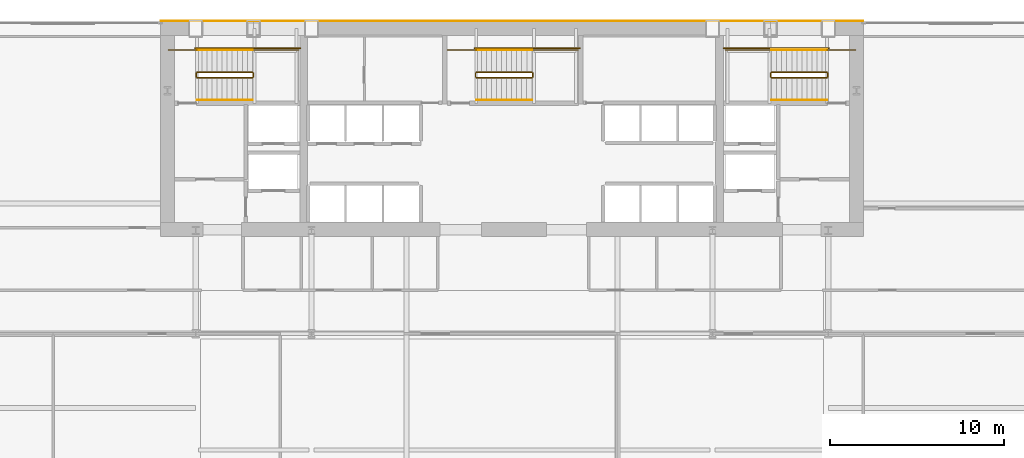
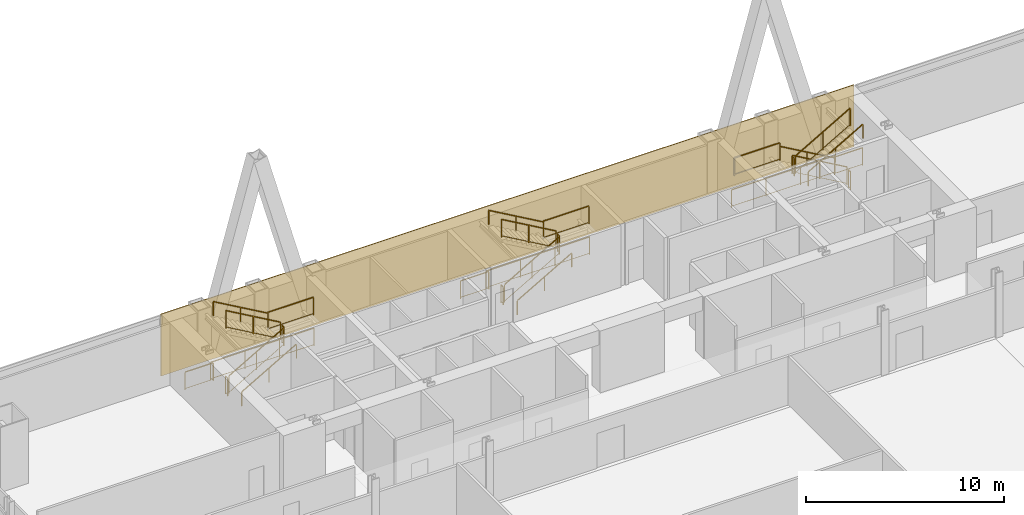
# One storey, part 34 of 35: 27 railings, 1 covering.
"""IFC4 building model written with IfcOpenShell, lengths in metres."""

from ifc_helpers import new_model, si_unit, direction, frame, origin, origin_2d, place, context, subcontext, project, spatial, polyline, rectangle, outline, extrude, material, layer, layer_set, type_object, element, save


model = new_model("IFC4")

# Units and contexts
model_context = context("Model", 3, precision=1e-05, world=origin(), true_north=direction((0.0, 1.0)))
body_context = subcontext(model_context, "Body", "Model", "MODEL_VIEW")
ifc_project = project(units=[si_unit("LENGTHUNIT", "METRE"), si_unit("AREAUNIT", "SQUARE_METRE"), si_unit("VOLUMEUNIT", "CUBIC_METRE"), si_unit("PLANEANGLEUNIT", "RADIAN"), si_unit("MASSUNIT", "GRAM", prefix="KILO")], contexts=[model_context])

# Site, building, storey
site_placement = place(None, origin())
site = spatial("IfcSite", under=ifc_project, at=site_placement, CompositionType="ELEMENT")
building_placement = place(site_placement, origin())
building = spatial("IfcBuilding", under=site, at=building_placement, Name="Khoronbel Lancet Exchange", CompositionType="ELEMENT")
storey_placement = place(building_placement, frame((0.0, 0.0, 25.800048828125)))
storey = spatial("IfcBuildingStorey", under=building, at=storey_placement, Name="L05", CompositionType="ELEMENT", Elevation=25.800048828125)

# Covering
ifc_material_1 = material(Name="Honed Egyptian Limestone & Bronze Rainscreen", Category="masonry")
ifc_layer = layer(ifc_material_1, 0.050048828125, Name="Honed Egyptian Limestone & Bronze Rainscreen")
ifc_layer_set = layer_set([ifc_layer], Name="Honed Egyptian Limestone & Bronze Rainscreen")
covering_type = type_object("IfcCoveringType", Name="COV-CLAD1", PredefinedType="CLADDING", material=ifc_layer_set)
covering_placement = place(storey_placement, origin())
element("IfcCovering", 1, at=covering_placement, inside=storey, type_object=covering_type, Name="Level L05 north rear-core stone and bronze rainscreen cladding", PredefinedType="CLADDING", context=body_context, shape_type="SweptSolid", body=[
    extrude(outline(polyline([(16.199951171875, 53.699951171875), (56.699951171875, 53.699951171875), (56.699951171875, 53.75), (16.199951171875, 53.75), (16.199951171875, 53.699951171875)])), origin(), (0.0, 0.0, 1.0), 3.820068359375),
])

# Railings
ifc_material_2 = material(Name="Painted Steel Balustrade", Category="steel")
railing_type_1 = type_object("IfcRailingType", Name="RL-STG110", PredefinedType="GUARDRAIL", material=ifc_material_2)
railing_1_placement = place(storey_placement, frame((18.300048828125, 50.449951171875, 0.16650390625)))
element("IfcRailing", 2, at=railing_1_placement, inside=storey, type_object=railing_type_1, Name="L05 ST1 stair guard 1", PredefinedType="GUARDRAIL", context=body_context, shape_type="SweptSolid", body=[
    extrude(rectangle(XDim=0.048095703125, YDim=0.048095703125, at=origin_2d()), frame((0.0, 0.0, 1.09619140625), z_axis=(0.86699087805, 0.0, 0.498324008431), x_axis=(0.0, 1.0, 0.0)), (0.0, 0.0, 1.0), 3.679443359375),
    extrude(rectangle(XDim=0.02392578125, YDim=0.02392578125, at=origin_2d()), frame((0.0, 0.0, 0.080078125), z_axis=(0.86699087805, 0.0, 0.498324008431), x_axis=(0.0, 1.0, 0.0)), (0.0, 0.0, 1.0), 3.679443359375),
    extrude(rectangle(XDim=0.0419921875, YDim=0.0419921875, at=origin_2d()), origin(), (0.0, 0.0, 1.0), 1.072021484375),
    extrude(rectangle(XDim=0.0419921875, YDim=0.0419921875, at=origin_2d()), frame((1.594970703125, 0.0, 0.916748046875)), (0.0, 0.0, 1.0), 1.072021484375),
    extrude(rectangle(XDim=0.0419921875, YDim=0.0419921875, at=origin_2d()), frame((3.18994140625, 0.0, 1.83349609375)), (0.0, 0.0, 1.0), 1.072021484375),
])
railing_2_placement = place(storey_placement, frame((21.5400390625, 50.5, 2.0)))
element("IfcRailing", 3, at=railing_2_placement, inside=storey, type_object=railing_type_1, Name="L05 ST1 stair guard 2", PredefinedType="GUARDRAIL", context=body_context, shape_type="SweptSolid", body=[
    extrude(rectangle(XDim=0.048095703125, YDim=0.048095703125, at=origin_2d()), frame((0.0, 0.0, 1.09619140625), z_axis=(0.0, 1.0, 0.0), x_axis=(-1.0, 0.0, 0.0)), (0.0, 0.0, 1.0), 0.219970703125),
    extrude(rectangle(XDim=0.02392578125, YDim=0.02392578125, at=origin_2d()), frame((0.0, 0.0, 0.080078125), z_axis=(0.0, 1.0, 0.0), x_axis=(-1.0, 0.0, 0.0)), (0.0, 0.0, 1.0), 0.219970703125),
    extrude(rectangle(XDim=0.0419921875, YDim=0.0419921875, at=origin_2d()), origin(), (0.0, 0.0, 1.0), 1.072021484375),
    extrude(rectangle(XDim=0.0419921875, YDim=0.0419921875, at=origin_2d()), frame((0.0, 0.219970703125, 0.0)), (0.0, 0.0, 1.0), 1.072021484375),
])
railing_3_placement = place(storey_placement, frame((21.489990234375, 52.050048828125, 2.0)))
element("IfcRailing", 4, at=railing_3_placement, inside=storey, type_object=railing_type_1, Name="L05 ST1 stair guard 3", PredefinedType="GUARDRAIL", context=body_context, shape_type="SweptSolid", body=[
    extrude(rectangle(XDim=0.048095703125, YDim=0.048095703125, at=origin_2d()), frame((0.0, 0.0, 1.09619140625), z_axis=(1.0, 0.0, 0.0), x_axis=(0.0, 1.0, 0.0)), (0.0, 0.0, 1.0), 2.659912109375),
    extrude(rectangle(XDim=0.02392578125, YDim=0.02392578125, at=origin_2d()), frame((0.0, 0.0, 0.080078125), z_axis=(1.0, 0.0, 0.0), x_axis=(0.0, 1.0, 0.0)), (0.0, 0.0, 1.0), 2.659912109375),
    extrude(rectangle(XDim=0.0419921875, YDim=0.0419921875, at=origin_2d()), origin(), (0.0, 0.0, 1.0), 1.072021484375),
    extrude(rectangle(XDim=0.0419921875, YDim=0.0419921875, at=origin_2d()), frame((2.659912109375, 0.0, 0.0)), (0.0, 0.0, 1.0), 1.072021484375),
])
railing_4_placement = place(storey_placement, frame((21.489990234375, 50.77001953125, 2.16650390625)))
element("IfcRailing", 5, at=railing_4_placement, inside=storey, type_object=railing_type_1, Name="L05 ST1 stair guard 4", PredefinedType="GUARDRAIL", context=body_context, shape_type="SweptSolid", body=[
    extrude(rectangle(XDim=0.048095703125, YDim=0.048095703125, at=origin_2d()), frame((0.0, 0.0, 1.09619140625), z_axis=(-0.86699087805, 0.0, 0.498324008431), x_axis=(0.0, -1.0, 0.0)), (0.0, 0.0, 1.0), 3.679443359375),
    extrude(rectangle(XDim=0.02392578125, YDim=0.02392578125, at=origin_2d()), frame((0.0, 0.0, 0.080078125), z_axis=(-0.86699087805, 0.0, 0.498324008431), x_axis=(0.0, -1.0, 0.0)), (0.0, 0.0, 1.0), 3.679443359375),
    extrude(rectangle(XDim=0.0419921875, YDim=0.0419921875, at=origin_2d()), origin(), (0.0, 0.0, 1.0), 1.072021484375),
    extrude(rectangle(XDim=0.0419921875, YDim=0.0419921875, at=origin_2d()), frame((-1.594970703125, 0.0, 0.916748046875)), (0.0, 0.0, 1.0), 1.072021484375),
    extrude(rectangle(XDim=0.0419921875, YDim=0.0419921875, at=origin_2d()), frame((-3.18994140625, 0.0, 1.83349609375)), (0.0, 0.0, 1.0), 1.072021484375),
])
railing_5_placement = place(storey_placement, frame((18.25, 50.5, 0.0)))
element("IfcRailing", 6, at=railing_5_placement, inside=storey, type_object=railing_type_1, Name="L05 ST1 stair guard 5", PredefinedType="GUARDRAIL", context=body_context, shape_type="SweptSolid", body=[
    extrude(rectangle(XDim=0.048095703125, YDim=0.048095703125, at=origin_2d()), frame((0.0, 0.0, 1.09619140625), z_axis=(0.0, 1.0, 0.0), x_axis=(-1.0, 0.0, 0.0)), (0.0, 0.0, 1.0), 0.219970703125),
    extrude(rectangle(XDim=0.02392578125, YDim=0.02392578125, at=origin_2d()), frame((0.0, 0.0, 0.080078125), z_axis=(0.0, 1.0, 0.0), x_axis=(-1.0, 0.0, 0.0)), (0.0, 0.0, 1.0), 0.219970703125),
    extrude(rectangle(XDim=0.0419921875, YDim=0.0419921875, at=origin_2d()), origin(), (0.0, 0.0, 1.0), 1.072021484375),
    extrude(rectangle(XDim=0.0419921875, YDim=0.0419921875, at=origin_2d()), frame((0.0, 0.219970703125, 0.0)), (0.0, 0.0, 1.0), 1.072021484375),
])
railing_6_placement = place(storey_placement, frame((16.64990234375, 52.050048828125, 0.0)))
element("IfcRailing", 7, at=railing_6_placement, inside=storey, type_object=railing_type_1, Name="L05 ST1 stair guard 6", PredefinedType="GUARDRAIL", context=body_context, shape_type="SweptSolid", body=[
    extrude(rectangle(XDim=0.048095703125, YDim=0.048095703125, at=origin_2d()), frame((0.0, 0.0, 1.09619140625), z_axis=(1.0, 0.0, 0.0), x_axis=(0.0, 1.0, 0.0)), (0.0, 0.0, 1.0), 1.650146484375),
    extrude(rectangle(XDim=0.02392578125, YDim=0.02392578125, at=origin_2d()), frame((0.0, 0.0, 0.080078125), z_axis=(1.0, 0.0, 0.0), x_axis=(0.0, 1.0, 0.0)), (0.0, 0.0, 1.0), 1.650146484375),
    extrude(rectangle(XDim=0.0419921875, YDim=0.0419921875, at=origin_2d()), origin(), (0.0, 0.0, 1.0), 1.072021484375),
    extrude(rectangle(XDim=0.0419921875, YDim=0.0419921875, at=origin_2d()), frame((1.650146484375, 0.0, 0.0)), (0.0, 0.0, 1.0), 1.072021484375),
])
railing_7_placement = place(storey_placement, frame((18.199951171875, 52.14990234375, 0.0)))
element("IfcRailing", 8, at=railing_7_placement, inside=storey, type_object=railing_type_1, Name="L05 ST1 stair guard 7", PredefinedType="GUARDRAIL", context=body_context, shape_type="SweptSolid", body=[
    extrude(rectangle(XDim=0.048095703125, YDim=0.048095703125, at=origin_2d()), frame((0.0, 0.0, 1.09619140625), z_axis=(1.0, 0.0, 0.0), x_axis=(0.0, 1.0, 0.0)), (0.0, 0.0, 1.0), 6.050048828125),
    extrude(rectangle(XDim=0.02392578125, YDim=0.02392578125, at=origin_2d()), frame((0.0, 0.0, 0.080078125), z_axis=(1.0, 0.0, 0.0), x_axis=(0.0, 1.0, 0.0)), (0.0, 0.0, 1.0), 6.050048828125),
    extrude(rectangle(XDim=0.0419921875, YDim=0.0419921875, at=origin_2d()), origin(), (0.0, 0.0, 1.0), 1.072021484375),
    extrude(rectangle(XDim=0.0419921875, YDim=0.0419921875, at=origin_2d()), frame((2.0166015625, 0.0, 0.0)), (0.0, 0.0, 1.0), 1.072021484375),
    extrude(rectangle(XDim=0.0419921875, YDim=0.0419921875, at=origin_2d()), frame((4.033447265625, 0.0, 0.0)), (0.0, 0.0, 1.0), 1.072021484375),
    extrude(rectangle(XDim=0.0419921875, YDim=0.0419921875, at=origin_2d()), frame((6.050048828125, 0.0, 0.0)), (0.0, 0.0, 1.0), 1.072021484375),
])
railing_8_placement = place(storey_placement, frame((54.60009765625, 50.77001953125, 0.16650390625)))
element("IfcRailing", 9, at=railing_8_placement, inside=storey, type_object=railing_type_1, Name="L05 ST2 stair guard 1", PredefinedType="GUARDRAIL", context=body_context, shape_type="SweptSolid", body=[
    extrude(rectangle(XDim=0.048095703125, YDim=0.048095703125, at=origin_2d()), frame((0.0, 0.0, 1.09619140625), z_axis=(-0.867007354286, 0.0, 0.498295341753), x_axis=(0.0, -1.0, 0.0)), (0.0, 0.0, 1.0), 3.679443359375),
    extrude(rectangle(XDim=0.02392578125, YDim=0.02392578125, at=origin_2d()), frame((0.0, 0.0, 0.080078125), z_axis=(-0.867007354286, 0.0, 0.498295341753), x_axis=(0.0, -1.0, 0.0)), (0.0, 0.0, 1.0), 3.679443359375),
    extrude(rectangle(XDim=0.0419921875, YDim=0.0419921875, at=origin_2d()), origin(), (0.0, 0.0, 1.0), 1.072021484375),
    extrude(rectangle(XDim=0.0419921875, YDim=0.0419921875, at=origin_2d()), frame((-1.59521484375, 0.0, 0.916748046875)), (0.0, 0.0, 1.0), 1.072021484375),
    extrude(rectangle(XDim=0.0419921875, YDim=0.0419921875, at=origin_2d()), frame((-3.190185546875, 0.0, 1.83349609375)), (0.0, 0.0, 1.0), 1.072021484375),
])
railing_9_placement = place(storey_placement, frame((51.360107421875, 50.719970703125, 2.0)))
element("IfcRailing", 10, at=railing_9_placement, inside=storey, type_object=railing_type_1, Name="L05 ST2 stair guard 2", PredefinedType="GUARDRAIL", context=body_context, shape_type="SweptSolid", body=[
    extrude(rectangle(XDim=0.048095703125, YDim=0.048095703125, at=origin_2d()), frame((0.0, 0.0, 1.09619140625), z_axis=(0.0, -1.0, 0.0), x_axis=(1.0, 0.0, 0.0)), (0.0, 0.0, 1.0), 0.219970703125),
    extrude(rectangle(XDim=0.02392578125, YDim=0.02392578125, at=origin_2d()), frame((0.0, 0.0, 0.080078125), z_axis=(0.0, -1.0, 0.0), x_axis=(1.0, 0.0, 0.0)), (0.0, 0.0, 1.0), 0.219970703125),
    extrude(rectangle(XDim=0.0419921875, YDim=0.0419921875, at=origin_2d()), origin(), (0.0, 0.0, 1.0), 1.072021484375),
    extrude(rectangle(XDim=0.0419921875, YDim=0.0419921875, at=origin_2d()), frame((0.0, -0.219970703125, 0.0)), (0.0, 0.0, 1.0), 1.072021484375),
])
railing_10_placement = place(storey_placement, frame((51.409912109375, 52.050048828125, 2.0)))
element("IfcRailing", 11, at=railing_10_placement, inside=storey, type_object=railing_type_1, Name="L05 ST2 stair guard 3", PredefinedType="GUARDRAIL", context=body_context, shape_type="SweptSolid", body=[
    extrude(rectangle(XDim=0.048095703125, YDim=0.048095703125, at=origin_2d()), frame((0.0, 0.0, 1.09619140625), z_axis=(-1.0, 0.0, 0.0), x_axis=(0.0, -1.0, 0.0)), (0.0, 0.0, 1.0), 2.659912109375),
    extrude(rectangle(XDim=0.02392578125, YDim=0.02392578125, at=origin_2d()), frame((0.0, 0.0, 0.080078125), z_axis=(-1.0, 0.0, 0.0), x_axis=(0.0, -1.0, 0.0)), (0.0, 0.0, 1.0), 2.659912109375),
    extrude(rectangle(XDim=0.0419921875, YDim=0.0419921875, at=origin_2d()), origin(), (0.0, 0.0, 1.0), 1.072021484375),
    extrude(rectangle(XDim=0.0419921875, YDim=0.0419921875, at=origin_2d()), frame((-2.659912109375, 0.0, 0.0)), (0.0, 0.0, 1.0), 1.072021484375),
])
railing_11_placement = place(storey_placement, frame((51.409912109375, 50.449951171875, 2.16650390625)))
element("IfcRailing", 12, at=railing_11_placement, inside=storey, type_object=railing_type_1, Name="L05 ST2 stair guard 4", PredefinedType="GUARDRAIL", context=body_context, shape_type="SweptSolid", body=[
    extrude(rectangle(XDim=0.048095703125, YDim=0.048095703125, at=origin_2d()), frame((0.0, 0.0, 1.09619140625), z_axis=(0.867007354286, 0.0, 0.498295341753), x_axis=(0.0, 1.0, 0.0)), (0.0, 0.0, 1.0), 3.679443359375),
    extrude(rectangle(XDim=0.02392578125, YDim=0.02392578125, at=origin_2d()), frame((0.0, 0.0, 0.080078125), z_axis=(0.867007354286, 0.0, 0.498295341753), x_axis=(0.0, 1.0, 0.0)), (0.0, 0.0, 1.0), 3.679443359375),
    extrude(rectangle(XDim=0.0419921875, YDim=0.0419921875, at=origin_2d()), origin(), (0.0, 0.0, 1.0), 1.072021484375),
    extrude(rectangle(XDim=0.0419921875, YDim=0.0419921875, at=origin_2d()), frame((1.59521484375, 0.0, 0.916748046875)), (0.0, 0.0, 1.0), 1.072021484375),
    extrude(rectangle(XDim=0.0419921875, YDim=0.0419921875, at=origin_2d()), frame((3.190185546875, 0.0, 1.83349609375)), (0.0, 0.0, 1.0), 1.072021484375),
])
railing_12_placement = place(storey_placement, frame((54.64990234375, 50.719970703125, 0.0)))
element("IfcRailing", 13, at=railing_12_placement, inside=storey, type_object=railing_type_1, Name="L05 ST2 stair guard 5", PredefinedType="GUARDRAIL", context=body_context, shape_type="SweptSolid", body=[
    extrude(rectangle(XDim=0.048095703125, YDim=0.048095703125, at=origin_2d()), frame((0.0, 0.0, 1.09619140625), z_axis=(0.0, -1.0, 0.0), x_axis=(1.0, 0.0, 0.0)), (0.0, 0.0, 1.0), 0.219970703125),
    extrude(rectangle(XDim=0.02392578125, YDim=0.02392578125, at=origin_2d()), frame((0.0, 0.0, 0.080078125), z_axis=(0.0, -1.0, 0.0), x_axis=(1.0, 0.0, 0.0)), (0.0, 0.0, 1.0), 0.219970703125),
    extrude(rectangle(XDim=0.0419921875, YDim=0.0419921875, at=origin_2d()), origin(), (0.0, 0.0, 1.0), 1.072021484375),
    extrude(rectangle(XDim=0.0419921875, YDim=0.0419921875, at=origin_2d()), frame((0.0, -0.219970703125, 0.0)), (0.0, 0.0, 1.0), 1.072021484375),
])
railing_13_placement = place(storey_placement, frame((56.25, 52.050048828125, 0.0)))
element("IfcRailing", 14, at=railing_13_placement, inside=storey, type_object=railing_type_1, Name="L05 ST2 stair guard 6", PredefinedType="GUARDRAIL", context=body_context, shape_type="SweptSolid", body=[
    extrude(rectangle(XDim=0.048095703125, YDim=0.048095703125, at=origin_2d()), frame((0.0, 0.0, 1.09619140625), z_axis=(-1.0, 0.0, 0.0), x_axis=(0.0, -1.0, 0.0)), (0.0, 0.0, 1.0), 1.64990234375),
    extrude(rectangle(XDim=0.02392578125, YDim=0.02392578125, at=origin_2d()), frame((0.0, 0.0, 0.080078125), z_axis=(-1.0, 0.0, 0.0), x_axis=(0.0, -1.0, 0.0)), (0.0, 0.0, 1.0), 1.64990234375),
    extrude(rectangle(XDim=0.0419921875, YDim=0.0419921875, at=origin_2d()), origin(), (0.0, 0.0, 1.0), 1.072021484375),
    extrude(rectangle(XDim=0.0419921875, YDim=0.0419921875, at=origin_2d()), frame((-1.64990234375, 0.0, 0.0)), (0.0, 0.0, 1.0), 1.072021484375),
])
railing_14_placement = place(storey_placement, frame((54.699951171875, 52.14990234375, 0.0)))
element("IfcRailing", 15, at=railing_14_placement, inside=storey, type_object=railing_type_1, Name="L05 ST2 stair guard 7", PredefinedType="GUARDRAIL", context=body_context, shape_type="SweptSolid", body=[
    extrude(rectangle(XDim=0.048095703125, YDim=0.048095703125, at=origin_2d()), frame((0.0, 0.0, 1.09619140625), z_axis=(-1.0, 0.0, 0.0), x_axis=(0.0, -1.0, 0.0)), (0.0, 0.0, 1.0), 6.050048828125),
    extrude(rectangle(XDim=0.02392578125, YDim=0.02392578125, at=origin_2d()), frame((0.0, 0.0, 0.080078125), z_axis=(-1.0, 0.0, 0.0), x_axis=(0.0, -1.0, 0.0)), (0.0, 0.0, 1.0), 6.050048828125),
    extrude(rectangle(XDim=0.0419921875, YDim=0.0419921875, at=origin_2d()), origin(), (0.0, 0.0, 1.0), 1.072021484375),
    extrude(rectangle(XDim=0.0419921875, YDim=0.0419921875, at=origin_2d()), frame((-2.0166015625, 0.0, 0.0)), (0.0, 0.0, 1.0), 1.072021484375),
    extrude(rectangle(XDim=0.0419921875, YDim=0.0419921875, at=origin_2d()), frame((-4.033447265625, 0.0, 0.0)), (0.0, 0.0, 1.0), 1.072021484375),
    extrude(rectangle(XDim=0.0419921875, YDim=0.0419921875, at=origin_2d()), frame((-6.050048828125, 0.0, 0.0)), (0.0, 0.0, 1.0), 1.072021484375),
])
railing_15_placement = place(storey_placement, frame((34.39990234375, 50.449951171875, 0.16650390625)))
element("IfcRailing", 16, at=railing_15_placement, inside=storey, type_object=railing_type_1, Name="L05 ST3 stair guard 1", PredefinedType="GUARDRAIL", context=body_context, shape_type="SweptSolid", body=[
    extrude(rectangle(XDim=0.048095703125, YDim=0.048095703125, at=origin_2d()), frame((0.0, 0.0, 1.09619140625), z_axis=(0.867007354286, 0.0, 0.498295341753), x_axis=(0.0, 1.0, 0.0)), (0.0, 0.0, 1.0), 3.679443359375),
    extrude(rectangle(XDim=0.02392578125, YDim=0.02392578125, at=origin_2d()), frame((0.0, 0.0, 0.080078125), z_axis=(0.867007354286, 0.0, 0.498295341753), x_axis=(0.0, 1.0, 0.0)), (0.0, 0.0, 1.0), 3.679443359375),
    extrude(rectangle(XDim=0.0419921875, YDim=0.0419921875, at=origin_2d()), origin(), (0.0, 0.0, 1.0), 1.072021484375),
    extrude(rectangle(XDim=0.0419921875, YDim=0.0419921875, at=origin_2d()), frame((1.59521484375, 0.0, 0.916748046875)), (0.0, 0.0, 1.0), 1.072021484375),
    extrude(rectangle(XDim=0.0419921875, YDim=0.0419921875, at=origin_2d()), frame((3.190185546875, 0.0, 1.83349609375)), (0.0, 0.0, 1.0), 1.072021484375),
])
railing_16_placement = place(storey_placement, frame((37.639892578125, 50.5, 2.0)))
element("IfcRailing", 17, at=railing_16_placement, inside=storey, type_object=railing_type_1, Name="L05 ST3 stair guard 2", PredefinedType="GUARDRAIL", context=body_context, shape_type="SweptSolid", body=[
    extrude(rectangle(XDim=0.048095703125, YDim=0.048095703125, at=origin_2d()), frame((0.0, 0.0, 1.09619140625), z_axis=(0.0, 1.0, 0.0), x_axis=(-1.0, 0.0, 0.0)), (0.0, 0.0, 1.0), 0.219970703125),
    extrude(rectangle(XDim=0.02392578125, YDim=0.02392578125, at=origin_2d()), frame((0.0, 0.0, 0.080078125), z_axis=(0.0, 1.0, 0.0), x_axis=(-1.0, 0.0, 0.0)), (0.0, 0.0, 1.0), 0.219970703125),
    extrude(rectangle(XDim=0.0419921875, YDim=0.0419921875, at=origin_2d()), origin(), (0.0, 0.0, 1.0), 1.072021484375),
    extrude(rectangle(XDim=0.0419921875, YDim=0.0419921875, at=origin_2d()), frame((0.0, 0.219970703125, 0.0)), (0.0, 0.0, 1.0), 1.072021484375),
])
railing_17_placement = place(storey_placement, frame((37.590087890625, 52.050048828125, 2.0)))
element("IfcRailing", 18, at=railing_17_placement, inside=storey, type_object=railing_type_1, Name="L05 ST3 stair guard 3", PredefinedType="GUARDRAIL", context=body_context, shape_type="SweptSolid", body=[
    extrude(rectangle(XDim=0.048095703125, YDim=0.048095703125, at=origin_2d()), frame((0.0, 0.0, 1.09619140625), z_axis=(1.0, 0.0, 0.0), x_axis=(0.0, 1.0, 0.0)), (0.0, 0.0, 1.0), 2.659912109375),
    extrude(rectangle(XDim=0.02392578125, YDim=0.02392578125, at=origin_2d()), frame((0.0, 0.0, 0.080078125), z_axis=(1.0, 0.0, 0.0), x_axis=(0.0, 1.0, 0.0)), (0.0, 0.0, 1.0), 2.659912109375),
    extrude(rectangle(XDim=0.0419921875, YDim=0.0419921875, at=origin_2d()), origin(), (0.0, 0.0, 1.0), 1.072021484375),
    extrude(rectangle(XDim=0.0419921875, YDim=0.0419921875, at=origin_2d()), frame((2.659912109375, 0.0, 0.0)), (0.0, 0.0, 1.0), 1.072021484375),
])
railing_18_placement = place(storey_placement, frame((37.590087890625, 50.77001953125, 2.16650390625)))
element("IfcRailing", 19, at=railing_18_placement, inside=storey, type_object=railing_type_1, Name="L05 ST3 stair guard 4", PredefinedType="GUARDRAIL", context=body_context, shape_type="SweptSolid", body=[
    extrude(rectangle(XDim=0.048095703125, YDim=0.048095703125, at=origin_2d()), frame((0.0, 0.0, 1.09619140625), z_axis=(-0.867007354286, 0.0, 0.498295341753), x_axis=(0.0, -1.0, 0.0)), (0.0, 0.0, 1.0), 3.679443359375),
    extrude(rectangle(XDim=0.02392578125, YDim=0.02392578125, at=origin_2d()), frame((0.0, 0.0, 0.080078125), z_axis=(-0.867007354286, 0.0, 0.498295341753), x_axis=(0.0, -1.0, 0.0)), (0.0, 0.0, 1.0), 3.679443359375),
    extrude(rectangle(XDim=0.0419921875, YDim=0.0419921875, at=origin_2d()), origin(), (0.0, 0.0, 1.0), 1.072021484375),
    extrude(rectangle(XDim=0.0419921875, YDim=0.0419921875, at=origin_2d()), frame((-1.59521484375, 0.0, 0.916748046875)), (0.0, 0.0, 1.0), 1.072021484375),
    extrude(rectangle(XDim=0.0419921875, YDim=0.0419921875, at=origin_2d()), frame((-3.190185546875, 0.0, 1.83349609375)), (0.0, 0.0, 1.0), 1.072021484375),
])
railing_19_placement = place(storey_placement, frame((34.35009765625, 50.5, 0.0)))
element("IfcRailing", 20, at=railing_19_placement, inside=storey, type_object=railing_type_1, Name="L05 ST3 stair guard 5", PredefinedType="GUARDRAIL", context=body_context, shape_type="SweptSolid", body=[
    extrude(rectangle(XDim=0.048095703125, YDim=0.048095703125, at=origin_2d()), frame((0.0, 0.0, 1.09619140625), z_axis=(0.0, 1.0, 0.0), x_axis=(-1.0, 0.0, 0.0)), (0.0, 0.0, 1.0), 0.219970703125),
    extrude(rectangle(XDim=0.02392578125, YDim=0.02392578125, at=origin_2d()), frame((0.0, 0.0, 0.080078125), z_axis=(0.0, 1.0, 0.0), x_axis=(-1.0, 0.0, 0.0)), (0.0, 0.0, 1.0), 0.219970703125),
    extrude(rectangle(XDim=0.0419921875, YDim=0.0419921875, at=origin_2d()), origin(), (0.0, 0.0, 1.0), 1.072021484375),
    extrude(rectangle(XDim=0.0419921875, YDim=0.0419921875, at=origin_2d()), frame((0.0, 0.219970703125, 0.0)), (0.0, 0.0, 1.0), 1.072021484375),
])
railing_20_placement = place(storey_placement, frame((32.75, 52.050048828125, 0.0)))
element("IfcRailing", 21, at=railing_20_placement, inside=storey, type_object=railing_type_1, Name="L05 ST3 stair guard 6", PredefinedType="GUARDRAIL", context=body_context, shape_type="SweptSolid", body=[
    extrude(rectangle(XDim=0.048095703125, YDim=0.048095703125, at=origin_2d()), frame((0.0, 0.0, 1.09619140625), z_axis=(1.0, 0.0, 0.0), x_axis=(0.0, 1.0, 0.0)), (0.0, 0.0, 1.0), 1.64990234375),
    extrude(rectangle(XDim=0.02392578125, YDim=0.02392578125, at=origin_2d()), frame((0.0, 0.0, 0.080078125), z_axis=(1.0, 0.0, 0.0), x_axis=(0.0, 1.0, 0.0)), (0.0, 0.0, 1.0), 1.64990234375),
    extrude(rectangle(XDim=0.0419921875, YDim=0.0419921875, at=origin_2d()), origin(), (0.0, 0.0, 1.0), 1.072021484375),
    extrude(rectangle(XDim=0.0419921875, YDim=0.0419921875, at=origin_2d()), frame((1.64990234375, 0.0, 0.0)), (0.0, 0.0, 1.0), 1.072021484375),
])
railing_21_placement = place(storey_placement, frame((34.300048828125, 52.14990234375, 0.0)))
element("IfcRailing", 22, at=railing_21_placement, inside=storey, type_object=railing_type_1, Name="L05 ST3 stair guard 7", PredefinedType="GUARDRAIL", context=body_context, shape_type="SweptSolid", body=[
    extrude(rectangle(XDim=0.048095703125, YDim=0.048095703125, at=origin_2d()), frame((0.0, 0.0, 1.09619140625), z_axis=(1.0, 0.0, 0.0), x_axis=(0.0, 1.0, 0.0)), (0.0, 0.0, 1.0), 6.050048828125),
    extrude(rectangle(XDim=0.02392578125, YDim=0.02392578125, at=origin_2d()), frame((0.0, 0.0, 0.080078125), z_axis=(1.0, 0.0, 0.0), x_axis=(0.0, 1.0, 0.0)), (0.0, 0.0, 1.0), 6.050048828125),
    extrude(rectangle(XDim=0.0419921875, YDim=0.0419921875, at=origin_2d()), origin(), (0.0, 0.0, 1.0), 1.072021484375),
    extrude(rectangle(XDim=0.0419921875, YDim=0.0419921875, at=origin_2d()), frame((2.0166015625, 0.0, 0.0)), (0.0, 0.0, 1.0), 1.072021484375),
    extrude(rectangle(XDim=0.0419921875, YDim=0.0419921875, at=origin_2d()), frame((4.033447265625, 0.0, 0.0)), (0.0, 0.0, 1.0), 1.072021484375),
    extrude(rectangle(XDim=0.0419921875, YDim=0.0419921875, at=origin_2d()), frame((6.050048828125, 0.0, 0.0)), (0.0, 0.0, 1.0), 1.072021484375),
])
ifc_material_3 = material(Name="Brushed Stainless Steel 316", Category="steel")
railing_type_2 = type_object("IfcRailingType", Name="RL-STH92", PredefinedType="HANDRAIL", material=ifc_material_3)
railing_22_placement = place(storey_placement, frame((18.300048828125, 49.169921875, 0.16650390625)))
element("IfcRailing", 23, at=railing_22_placement, inside=storey, type_object=railing_type_2, Name="L05 ST1 stair handrail 1", PredefinedType="HANDRAIL", context=body_context, shape_type="SweptSolid", body=[
    extrude(rectangle(XDim=0.048095703125, YDim=0.048095703125, at=origin_2d()), frame((0.0, 0.0, 0.8759765625), z_axis=(0.86699087805, 0.0, 0.498324008431), x_axis=(0.0, 1.0, 0.0)), (0.0, 0.0, 1.0), 3.679443359375),
    extrude(rectangle(XDim=0.0419921875, YDim=0.0419921875, at=origin_2d()), origin(), (0.0, 0.0, 1.0), 0.851806640625),
    extrude(rectangle(XDim=0.0419921875, YDim=0.0419921875, at=origin_2d()), frame((1.594970703125, 0.0, 0.916748046875)), (0.0, 0.0, 1.0), 0.851806640625),
    extrude(rectangle(XDim=0.0419921875, YDim=0.0419921875, at=origin_2d()), frame((3.18994140625, 0.0, 1.83349609375)), (0.0, 0.0, 1.0), 0.851806640625),
])
railing_23_placement = place(storey_placement, frame((21.489990234375, 52.050048828125, 2.16650390625)))
element("IfcRailing", 24, at=railing_23_placement, inside=storey, type_object=railing_type_2, Name="L05 ST1 stair handrail 2", PredefinedType="HANDRAIL", context=body_context, shape_type="SweptSolid", body=[
    extrude(rectangle(XDim=0.048095703125, YDim=0.048095703125, at=origin_2d()), frame((0.0, 0.0, 0.8759765625), z_axis=(-0.86699087805, 0.0, 0.498324008431), x_axis=(0.0, -1.0, 0.0)), (0.0, 0.0, 1.0), 3.679443359375),
    extrude(rectangle(XDim=0.0419921875, YDim=0.0419921875, at=origin_2d()), origin(), (0.0, 0.0, 1.0), 0.851806640625),
    extrude(rectangle(XDim=0.0419921875, YDim=0.0419921875, at=origin_2d()), frame((-1.594970703125, 0.0, 0.916748046875)), (0.0, 0.0, 1.0), 0.851806640625),
    extrude(rectangle(XDim=0.0419921875, YDim=0.0419921875, at=origin_2d()), frame((-3.18994140625, 0.0, 1.83349609375)), (0.0, 0.0, 1.0), 0.851806640625),
])
railing_24_placement = place(storey_placement, frame((54.60009765625, 52.050048828125, 0.16650390625)))
element("IfcRailing", 25, at=railing_24_placement, inside=storey, type_object=railing_type_2, Name="L05 ST2 stair handrail 1", PredefinedType="HANDRAIL", context=body_context, shape_type="SweptSolid", body=[
    extrude(rectangle(XDim=0.048095703125, YDim=0.048095703125, at=origin_2d()), frame((0.0, 0.0, 0.8759765625), z_axis=(-0.867007354286, 0.0, 0.498295341753), x_axis=(0.0, -1.0, 0.0)), (0.0, 0.0, 1.0), 3.679443359375),
    extrude(rectangle(XDim=0.0419921875, YDim=0.0419921875, at=origin_2d()), origin(), (0.0, 0.0, 1.0), 0.851806640625),
    extrude(rectangle(XDim=0.0419921875, YDim=0.0419921875, at=origin_2d()), frame((-1.59521484375, 0.0, 0.916748046875)), (0.0, 0.0, 1.0), 0.851806640625),
    extrude(rectangle(XDim=0.0419921875, YDim=0.0419921875, at=origin_2d()), frame((-3.190185546875, 0.0, 1.83349609375)), (0.0, 0.0, 1.0), 0.851806640625),
])
for number, where, name in (
    (26, (51.409912109375, 49.169921875, 2.16650390625), "L05 ST2 stair handrail 2"),
    (27, (34.39990234375, 49.169921875, 0.16650390625), "L05 ST3 stair handrail 1"),
):
    element("IfcRailing", number, at=place(storey_placement, frame(where)), inside=storey, type_object=railing_type_2, Name=name, PredefinedType="HANDRAIL", context=body_context, shape_type="SweptSolid", body=[
        extrude(rectangle(XDim=0.048095703125, YDim=0.048095703125, at=origin_2d()), frame((0.0, 0.0, 0.8759765625), z_axis=(0.867007354286, 0.0, 0.498295341753), x_axis=(0.0, 1.0, 0.0)), (0.0, 0.0, 1.0), 3.679443359375),
        extrude(rectangle(XDim=0.0419921875, YDim=0.0419921875, at=origin_2d()), origin(), (0.0, 0.0, 1.0), 0.851806640625),
        extrude(rectangle(XDim=0.0419921875, YDim=0.0419921875, at=origin_2d()), frame((1.59521484375, 0.0, 0.916748046875)), (0.0, 0.0, 1.0), 0.851806640625),
        extrude(rectangle(XDim=0.0419921875, YDim=0.0419921875, at=origin_2d()), frame((3.190185546875, 0.0, 1.83349609375)), (0.0, 0.0, 1.0), 0.851806640625),
    ])
railing_25_placement = place(storey_placement, frame((37.590087890625, 52.050048828125, 2.16650390625)))
element("IfcRailing", 28, at=railing_25_placement, inside=storey, type_object=railing_type_2, Name="L05 ST3 stair handrail 2", PredefinedType="HANDRAIL", context=body_context, shape_type="SweptSolid", body=[
    extrude(rectangle(XDim=0.048095703125, YDim=0.048095703125, at=origin_2d()), frame((0.0, 0.0, 0.8759765625), z_axis=(-0.867007354286, 0.0, 0.498295341753), x_axis=(0.0, -1.0, 0.0)), (0.0, 0.0, 1.0), 3.679443359375),
    extrude(rectangle(XDim=0.0419921875, YDim=0.0419921875, at=origin_2d()), origin(), (0.0, 0.0, 1.0), 0.851806640625),
    extrude(rectangle(XDim=0.0419921875, YDim=0.0419921875, at=origin_2d()), frame((-1.59521484375, 0.0, 0.916748046875)), (0.0, 0.0, 1.0), 0.851806640625),
    extrude(rectangle(XDim=0.0419921875, YDim=0.0419921875, at=origin_2d()), frame((-3.190185546875, 0.0, 1.83349609375)), (0.0, 0.0, 1.0), 0.851806640625),
])

save(model, "model.ifc")
